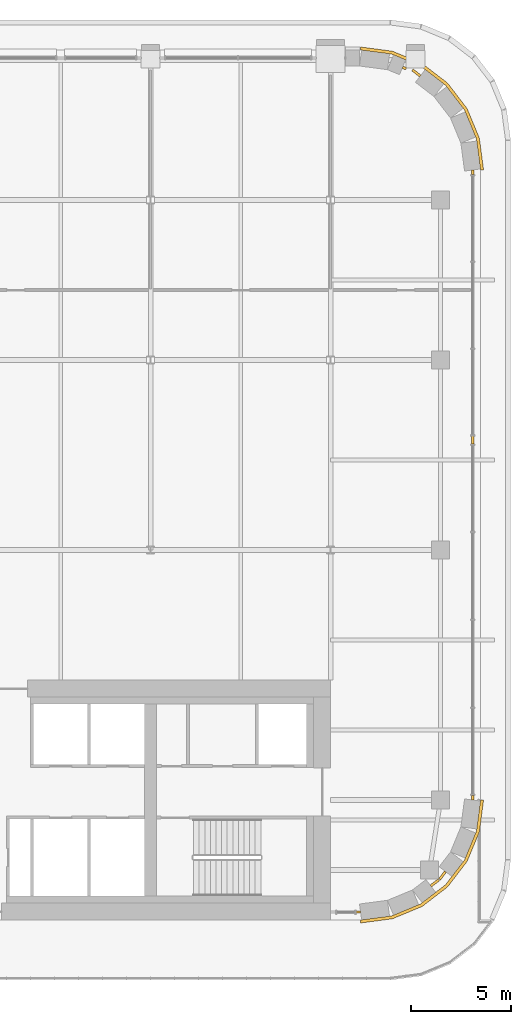
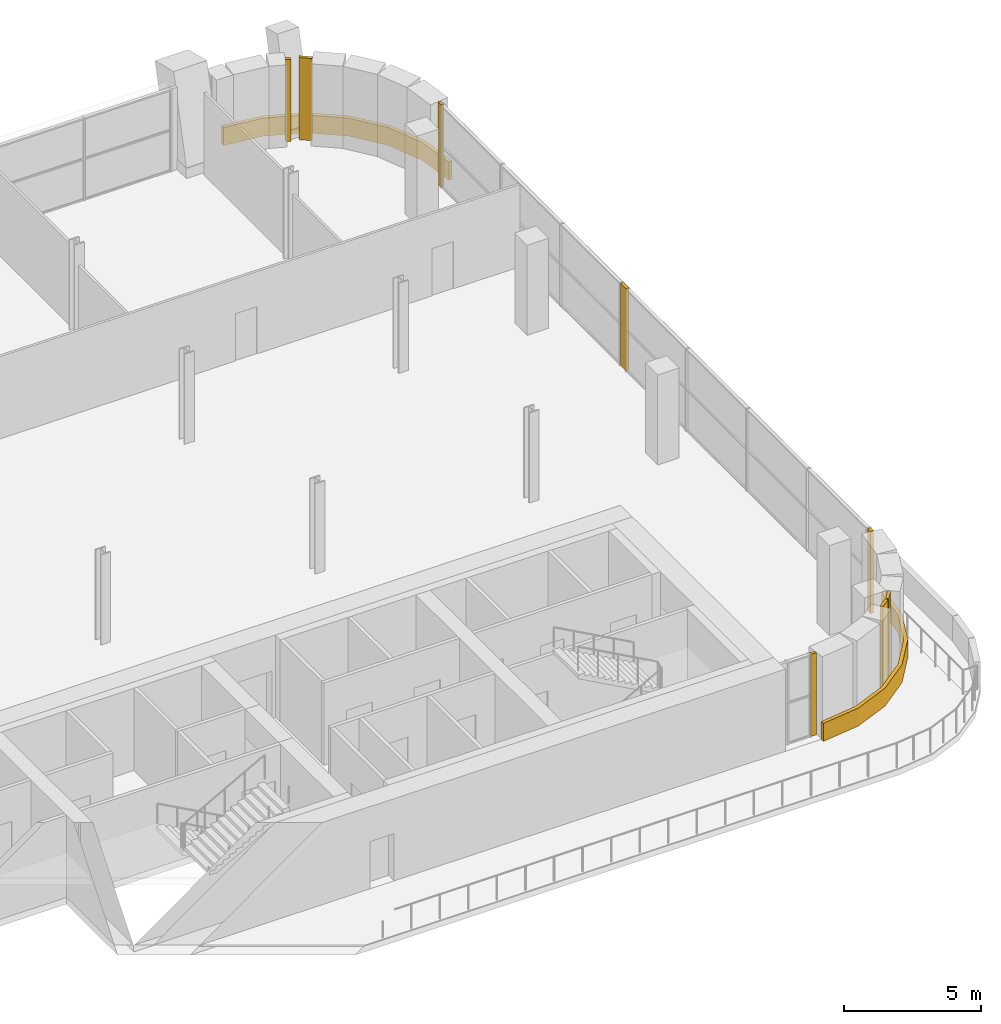
# One storey, part 23 of 23: 10 coverings.
"""IFC4 building model written with IfcOpenShell, lengths in metres."""

from ifc_helpers import new_model, si_unit, direction, frame, origin, origin_2d, place, context, subcontext, project, spatial, polyline, rectangle, outline, extrude, material, layer, layer_set, type_object, element, save


model = new_model("IFC4")

# Units and contexts
model_context = context("Model", 3, precision=1e-05, world=origin(), true_north=direction((0.0, 1.0)))
body_context = subcontext(model_context, "Body", "Model", "MODEL_VIEW")
ifc_project = project(units=[si_unit("LENGTHUNIT", "METRE"), si_unit("AREAUNIT", "SQUARE_METRE"), si_unit("VOLUMEUNIT", "CUBIC_METRE"), si_unit("PLANEANGLEUNIT", "RADIAN"), si_unit("MASSUNIT", "GRAM", prefix="KILO")], contexts=[model_context])

# Site, building, storey
site_placement = place(None, origin())
site = spatial("IfcSite", under=ifc_project, at=site_placement, CompositionType="ELEMENT")
building_placement = place(site_placement, origin())
building = spatial("IfcBuilding", under=site, at=building_placement, Name="Zellij Exchange Tower", CompositionType="ELEMENT")
storey_placement = place(building_placement, frame((0.0, 0.0, 212.5)))
storey = spatial("IfcBuildingStorey", under=building, at=storey_placement, Name="L49", CompositionType="ELEMENT", Elevation=212.5)

# Coverings
ifc_material = material(Name="Limestone cladding", Category="masonry")
ifc_layer_1 = layer(ifc_material, 0.14990234375)
ifc_layer_set_1 = layer_set([ifc_layer_1], Name="Limestone cladding")
covering_type_1 = type_object("IfcCoveringType", Name="ENV-CV1 Stone spandrel band 150", PredefinedType="CLADDING", material=ifc_layer_set_1)
covering_1_placement = place(storey_placement, origin())
element("IfcCovering", 1, at=covering_1_placement, inside=storey, type_object=covering_type_1, Name="Stone spandrel band", PredefinedType="CLADDING", context=body_context, shape_type="SweptSolid", body=[
    extrude(outline(polyline([(28.5, -14.0), (30.052978515625, -13.795654296875), (31.5, -13.1962890625), (32.74267578125, -12.24267578125), (33.6962890625, -11.0), (34.295654296875, -9.552978515625), (34.5, -8.0), (34.64990234375, -8.009765625), (34.441650390625, -9.592041015625), (33.8271484375, -11.07568359375), (32.849609375, -12.349609375), (31.57568359375, -13.3271484375), (30.092041015625, -13.941650390625), (28.509765625, -14.14990234375), (28.5, -14.0)])), origin(), (0.0, 0.0, 1.0), 0.800048828125),
])
covering_2_placement = place(storey_placement, origin())
element("IfcCovering", 2, at=covering_2_placement, inside=storey, type_object=covering_type_1, Name="Stone spandrel band", PredefinedType="CLADDING", context=body_context, shape_type="SweptSolid", body=[
    extrude(outline(polyline([(34.5, 23.5), (34.295654296875, 25.052978515625), (33.6962890625, 26.5), (32.74267578125, 27.74267578125), (31.5, 28.6962890625), (30.052978515625, 29.295654296875), (28.5, 29.5), (28.509765625, 29.64990234375), (30.092041015625, 29.441650390625), (31.57568359375, 28.8271484375), (32.849609375, 27.849609375), (33.8271484375, 26.57568359375), (34.441650390625, 25.092041015625), (34.64990234375, 23.509765625), (34.5, 23.5)])), origin(), (0.0, 0.0, 1.0), 0.800048828125),
])
ifc_layer_2 = layer(ifc_material, 0.1201171875)
ifc_layer_set_2 = layer_set([ifc_layer_2], Name="Limestone cladding")
covering_type_2 = type_object("IfcCoveringType", Name="ENV-CV18 Glazing closer 120", PredefinedType="CLADDING", material=ifc_layer_set_2)
for number, where, z_axis, x_axis, name in (
    (3, (32.59765625, -11.7744140625, 0.0), (0.0, 0.0, 1.0), (-0.608809891071, -0.793316151692, 0.0), "Glazing closer"),
    (4, (32.209228515625, -12.147705078125, 0.0), (0.0, 0.0, 1.0), (0.793316151692, 0.608809891071, 0.0), "Glazing closer"),
    (5, (31.291015625, 28.352294921875, 0.0), (0.0, 0.0, 1.0), (-0.793316151692, 0.608809891071, 0.0), "Glazing closer"),
):
    element("IfcCovering", number, at=place(storey_placement, frame(where, z_axis=z_axis, x_axis=x_axis)), inside=storey, type_object=covering_type_2, Name=name, PredefinedType="CLADDING", context=body_context, shape_type="SweptSolid", body=[
        extrude(rectangle(XDim=0.492919921875, YDim=0.1201171875, at=origin_2d()), origin(), (0.0, 0.0, 1.0), 3.64990234375),
    ])
covering_3_placement = place(storey_placement, frame((34.10009765625, 9.99609375, 0.0), z_axis=(0.0, 0.0, 1.0), x_axis=(0.0, 1.0, 0.0)))
element("IfcCovering", 6, at=covering_3_placement, inside=storey, type_object=covering_type_2, Name="Glazing closer", PredefinedType="CLADDING", context=body_context, shape_type="SweptSolid", body=[
    extrude(rectangle(XDim=0.39990234375, YDim=0.1201171875, at=origin_2d()), origin(), (0.0, 0.0, 1.0), 3.64990234375),
])
for number, where, z_axis, x_axis, name in (
    (7, (34.10009765625, -7.883056640625, 0.0), (0.0, 0.0, 1.0), (0.0, -1.0, 0.0), "Glazing closer"),
    (8, (34.10009765625, 23.383056640625, 0.0), (0.0, 0.0, 1.0), (0.0, 1.0, 0.0), "Glazing closer"),
    (9, (28.383056640625, -13.60009765625, 0.0), (0.0, 0.0, 1.0), (1.0, 0.0, 0.0), "Glazing closer"),
):
    element("IfcCovering", number, at=place(storey_placement, frame(where, z_axis=z_axis, x_axis=x_axis)), inside=storey, type_object=covering_type_2, Name=name, PredefinedType="CLADDING", context=body_context, shape_type="SweptSolid", body=[
        extrude(rectangle(XDim=0.218505859375, YDim=0.1201171875, at=origin_2d()), origin(), (0.0, 0.0, 1.0), 3.64990234375),
    ])
covering_4_placement = place(storey_placement, frame((30.68896484375, 28.59912109375, 0.0), z_axis=(0.0, 0.0, 1.0), x_axis=(0.923881536224, -0.382678594938, 0.0)))
element("IfcCovering", 10, at=covering_4_placement, inside=storey, type_object=covering_type_2, Name="Glazing closer", PredefinedType="CLADDING", context=body_context, shape_type="SweptSolid", body=[
    extrude(rectangle(XDim=0.19091796875, YDim=0.1201171875, at=origin_2d()), origin(), (0.0, 0.0, 1.0), 3.64990234375),
])

save(model, "model.ifc")
